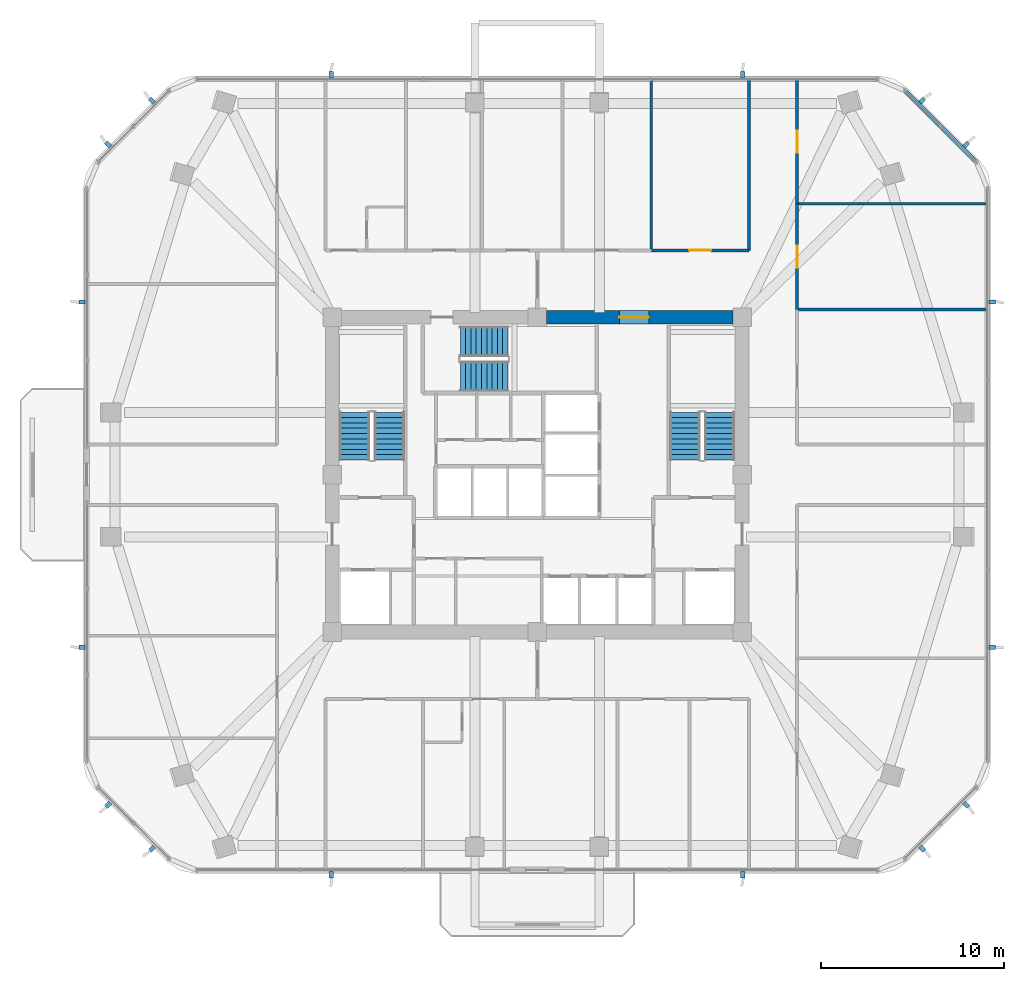
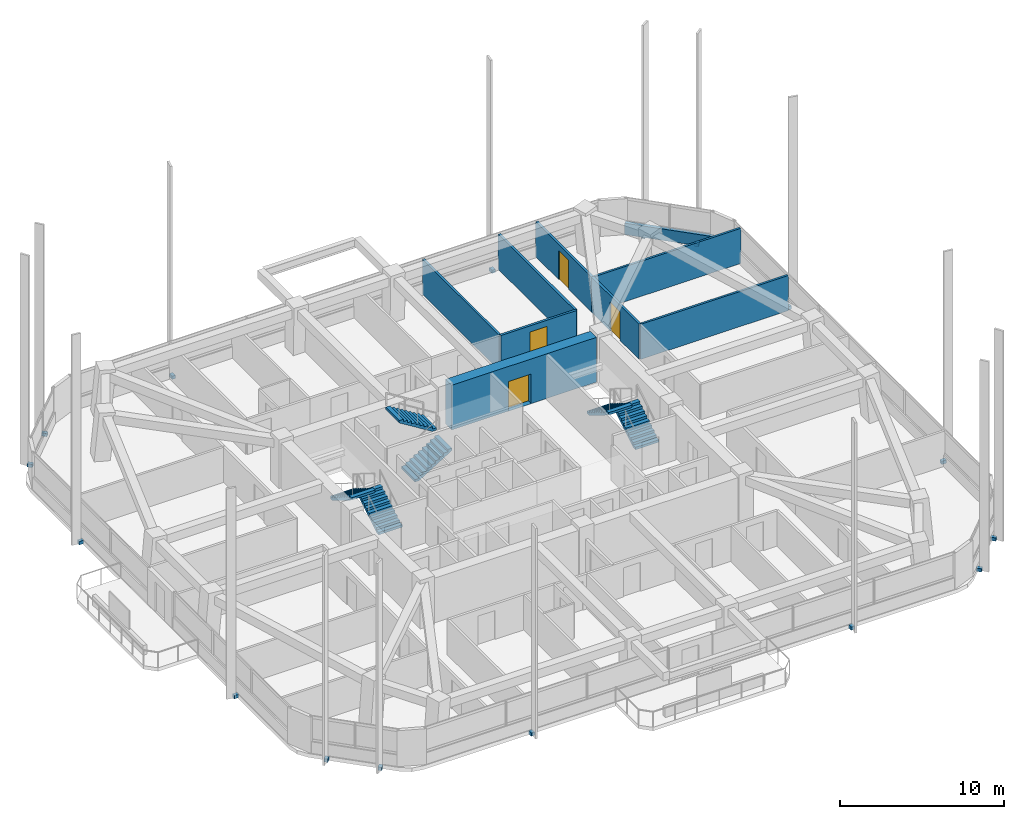
# One storey, part 11 of 15: 16 discrete accessories, 9 walls, 6 stair flights, 4 doors, 4 openings, 3 elements without a shape of their own.
"""IFC4 building model written with IfcOpenShell, lengths in metres."""

from ifc_helpers import new_model, si_unit, derived_unit, direction, frame, frame_2d, origin, origin_2d, place, context, subcontext, project, spatial, polyline, rectangle, outline, extrude, material, layer, layer_set, type_object, element, fill, aggregate, save


model = new_model("IFC4")

# Units and contexts
model_context = context("Model", 3, precision=1e-05, world=origin(), true_north=direction((0.0, 1.0)))
body_context = subcontext(model_context, "Body", "Model", "MODEL_VIEW")
ifc_project = project(units=[si_unit("LENGTHUNIT", "METRE"), si_unit("AREAUNIT", "SQUARE_METRE"), si_unit("VOLUMEUNIT", "CUBIC_METRE"), si_unit("PLANEANGLEUNIT", "RADIAN"), si_unit("MASSUNIT", "GRAM", prefix="KILO"), derived_unit("THERMALTRANSMITTANCEUNIT", [(si_unit("POWERUNIT", "WATT"), 1), (si_unit("LENGTHUNIT", "METRE"), -2), (si_unit("THERMODYNAMICTEMPERATUREUNIT", "KELVIN"), -1)])], contexts=[model_context])

# Site, building, storey
site_placement = place(None, origin())
site = spatial("IfcSite", under=ifc_project, at=site_placement, CompositionType="ELEMENT")
building_placement = place(site_placement, origin())
building = spatial("IfcBuilding", under=site, at=building_placement, Name="Koralith Skygarden Medical Center", CompositionType="ELEMENT")
storey_placement = place(building_placement, frame((0.0, 0.0, 113.580078125)))
storey = spatial("IfcBuildingStorey", under=building, at=storey_placement, Name="L29", CompositionType="ELEMENT", Elevation=113.580078125)

# Walls
ifc_material_1 = material(Name="Gypsum Board Partition")
ifc_layer_1 = layer(ifc_material_1, 0.14990234375)
ifc_layer_set_1 = layer_set([ifc_layer_1], Name="Gypsum Board Partition")
wall_type_1 = type_object("IfcWallType", Name="Clinical Acoustic Partition 150", PredefinedType="PARTITIONING", material=ifc_layer_set_1)
wall_1_placement = place(storey_placement, frame((43.241943359375, 38.159912109375, 0.0), z_axis=(0.0, 0.0, 1.0), x_axis=(0.0, 1.0, 0.0)))
element("IfcWall", 1, at=wall_1_placement, inside=storey, type_object=wall_type_1, Name="L29 Clinical Acoustic Partition 150 W-PART-L29-N-04", PredefinedType="PARTITIONING", context=body_context, shape_type="SweptSolid", body=[
    extrude(rectangle(XDim=9.320068359375, YDim=0.14990234375, at=frame_2d((4.66015625, 0.0))), origin(), (0.0, 0.0, 1.0), 2.60986328125),
])
for number, where, z_axis, x_axis, name in (
    (2, (51.2099609375, 34.922119140625, 0.0), (0.0, 0.0, 1.0), (1.0, 0.0, 0.0), "L29 Clinical Acoustic Partition 150 W-PART-L29-EN-01"),
    (3, (51.2099609375, 40.70703125, 0.0), (0.0, 0.0, 1.0), (1.0, 0.0, 0.0), "L29 Clinical Acoustic Partition 150 W-PART-L29-EN-02"),
):
    element("IfcWall", number, at=place(storey_placement, frame(where, z_axis=z_axis, x_axis=x_axis)), inside=storey, type_object=wall_type_1, Name=name, PredefinedType="PARTITIONING", context=body_context, shape_type="SweptSolid", body=[
        extrude(rectangle(XDim=10.3740234375, YDim=0.14990234375, at=frame_2d((5.18701171875, 0.0))), origin(), (0.0, 0.0, 1.0), 2.60986328125),
    ])
ifc_layer_2 = layer(ifc_material_1, 0.1650390625)
ifc_layer_set_2 = layer_set([ifc_layer_2], Name="Gypsum Board Partition")
wall_type_2 = type_object("IfcWallType", Name="Clinical Corridor Partition 165", PredefinedType="PARTITIONING", material=ifc_layer_set_2)
wall_2_placement = place(storey_placement, frame((48.570068359375, 38.159912109375, 0.0), z_axis=(0.0, 0.0, 1.0), x_axis=(0.0, 1.0, 0.0)))
element("IfcWall", 4, at=wall_2_placement, inside=storey, type_object=wall_type_2, Name="L29 Clinical Corridor Partition 165 W-HCOR-L29-NE", PredefinedType="PARTITIONING", context=body_context, shape_type="SweptSolid", body=[
    extrude(rectangle(XDim=9.320068359375, YDim=0.1650390625, at=frame_2d((4.66015625, 0.0))), origin(), (0.0, 0.0, 1.0), 2.60986328125),
])

# Wall, opening, door
wall_3_placement = place(storey_placement, frame((43.241943359375, 38.159912109375, 0.0), z_axis=(0.0, 0.0, 1.0), x_axis=(1.0, 0.0, 0.0)))
wall_3 = element("IfcWall", 5, at=wall_3_placement, inside=storey, type_object=wall_type_2, Name="L29 Clinical Corridor Partition 165 W-CORR-L29-N-05", PredefinedType="PARTITIONING", context=body_context, shape_type="SweptSolid", body=[
    extrude(rectangle(XDim=5.328125, YDim=0.1650390625, at=frame_2d((2.6640625, 0.0))), origin(), (0.0, 0.0, 1.0), 2.60986328125),
])
opening_1_placement = place(wall_3_placement, frame((2.06396484375, 0.0, 0.0)))
opening_1 = element("IfcOpeningElement", 6, at=opening_1_placement, cuts=wall_3, Name="Opening D-CLN", PredefinedType="OPENING", context=body_context, shape_type="SweptSolid", body=[
    extrude(rectangle(XDim=1.199951171875, YDim=2.14990234375, at=frame_2d((0.60009765625, 1.074951171875))), frame((0.0, 0.092529296875, 0.0), z_axis=(0.0, -1.0, 0.0), x_axis=(1.0, 0.0, 0.0)), (0.0, 0.0, 1.0), 0.18505859375),
])
ifc_material_2 = material(Name="Aluminium 6063-T6", Category="aluminium")
door_type_1 = type_object("IfcDoorType", Name="Clinical Corridor Door D-CLN 1200", OperationType="NOTDEFINED", PredefinedType="DOOR", material=ifc_material_2)
door_1_placement = place(opening_1_placement, origin())
door_1 = element("IfcDoor", 7, at=door_1_placement, inside=storey, type_object=door_type_1, Name="L29 Clinical Consultation Office 05 Door", OperationType="SINGLE_SWING_RIGHT", OverallHeight=2.14990234375, OverallWidth=1.199951171875, PredefinedType="DOOR", context=body_context, shape_type="SweptSolid", body=[
    extrude(rectangle(XDim=1.199951171875, YDim=2.14990234375, at=frame_2d((0.60009765625, 1.074951171875))), frame((0.0, 0.02490234375, 0.0), z_axis=(0.0, -1.0, 0.0), x_axis=(1.0, 0.0, 0.0)), (0.0, 0.0, 1.0), 0.050048828125),
])
fill(opening_1, door_1)

wall_4_placement = place(storey_placement, frame((51.2099609375, 34.922119140625, 0.0), z_axis=(0.0, 0.0, 1.0), x_axis=(0.0, 1.0, 0.0)))
wall_4 = element("IfcWall", 8, at=wall_4_placement, inside=storey, type_object=wall_type_2, Name="L29 Clinical Corridor Partition 165 W-CORR-L29-EN-02", PredefinedType="PARTITIONING", context=body_context, shape_type="SweptSolid", body=[
    extrude(rectangle(XDim=5.784912109375, YDim=0.1650390625, at=frame_2d((2.892578125, 0.0))), origin(), (0.0, 0.0, 1.0), 2.60986328125),
])
opening_2_placement = place(wall_4_placement, frame((2.29296875, 0.0, 0.0)))
opening_2 = element("IfcOpeningElement", 9, at=opening_2_placement, cuts=wall_4, Name="Opening D-CLN", PredefinedType="OPENING", context=body_context, shape_type="SweptSolid", body=[
    extrude(rectangle(XDim=1.199951171875, YDim=2.14990234375, at=frame_2d((0.60009765625, 1.074951171875))), frame((0.0, 0.092529296875, 0.0), z_axis=(0.0, -1.0, 0.0), x_axis=(1.0, 0.0, 0.0)), (0.0, 0.0, 1.0), 0.18505859375),
])
door_2_placement = place(opening_2_placement, origin())
door_2 = element("IfcDoor", 10, at=door_2_placement, inside=storey, type_object=door_type_1, Name="L29 Clinical Consultation Office 19 Door", OperationType="SINGLE_SWING_RIGHT", OverallHeight=2.14990234375, OverallWidth=1.199951171875, PredefinedType="DOOR", context=body_context, shape_type="SweptSolid", body=[
    extrude(rectangle(XDim=1.199951171875, YDim=2.14990234375, at=frame_2d((0.60009765625, 1.074951171875))), frame((0.0, 0.02490234375, 0.0), z_axis=(0.0, -1.0, 0.0), x_axis=(1.0, 0.0, 0.0)), (0.0, 0.0, 1.0), 0.050048828125),
])
fill(opening_2, door_2)

wall_5_placement = place(storey_placement, frame((51.2099609375, 40.70703125, 0.0), z_axis=(0.0, 0.0, 1.0), x_axis=(0.0, 1.0, 0.0)))
wall_5 = element("IfcWall", 11, at=wall_5_placement, inside=storey, type_object=wall_type_2, Name="L29 Clinical Corridor Partition 165 W-CORR-L29-EN-03", PredefinedType="PARTITIONING", context=body_context, shape_type="SweptSolid", body=[
    extrude(rectangle(XDim=6.77294921875, YDim=0.1650390625, at=frame_2d((3.386474609375, 0.0))), origin(), (0.0, 0.0, 1.0), 2.60986328125),
])
opening_3_placement = place(wall_5_placement, frame((2.785888671875, 0.0, 0.0)))
opening_3 = element("IfcOpeningElement", 12, at=opening_3_placement, cuts=wall_5, Name="Opening D-CLN", PredefinedType="OPENING", context=body_context, shape_type="SweptSolid", body=[
    extrude(rectangle(XDim=1.199951171875, YDim=2.14990234375, at=frame_2d((0.60009765625, 1.074951171875))), frame((0.0, 0.092529296875, 0.0), z_axis=(0.0, -1.0, 0.0), x_axis=(1.0, 0.0, 0.0)), (0.0, 0.0, 1.0), 0.18505859375),
])
door_3_placement = place(opening_3_placement, origin())
door_3 = element("IfcDoor", 13, at=door_3_placement, inside=storey, type_object=door_type_1, Name="L29 Cardiopulmonary Rehab Gym Hall 20 Door", OperationType="SINGLE_SWING_LEFT", OverallHeight=2.14990234375, OverallWidth=1.199951171875, PredefinedType="DOOR", context=body_context, shape_type="SweptSolid", body=[
    extrude(rectangle(XDim=1.199951171875, YDim=2.14990234375, at=frame_2d((0.60009765625, 1.074951171875))), frame((0.0, 0.02490234375, 0.0), z_axis=(0.0, -1.0, 0.0), x_axis=(1.0, 0.0, 0.0)), (0.0, 0.0, 1.0), 0.050048828125),
])
fill(opening_3, door_3)

# Wall
ifc_material_3 = material(Name="Warm Oolitic Limestone Cladding", Category="masonry")
ifc_layer_3 = layer(ifc_material_3, 0.239990234375)
ifc_layer_set_3 = layer_set([ifc_layer_3], Name="Warm Oolitic Limestone Cladding")
wall_type_3 = type_object("IfcWallType", Name="Limestone Spandrel Sill Backup Wall 240", PredefinedType="SOLIDWALL", material=ifc_layer_set_3)
wall_6_placement = place(storey_placement, frame((61.0029296875, 42.97607421875, 0.0), z_axis=(0.0, 0.0, 1.0), x_axis=(-0.707106781187, 0.707106781187, 0.0)))
element("IfcWall", 14, at=wall_6_placement, inside=storey, type_object=wall_type_3, Name="L29 Sill Spandrel NE", PredefinedType="SOLIDWALL", context=body_context, shape_type="SweptSolid", body=[
    extrude(rectangle(XDim=5.5478515625, YDim=0.239990234375, at=frame_2d((2.77392578125, 0.0))), origin(), (0.0, 0.0, 1.0), 0.849853515625),
])

# Wall, opening, door
ifc_material_4 = material(Name="Concrete C70/85", Category="concrete")
ifc_layer_4 = layer(ifc_material_4, 0.75)
ifc_layer_set_4 = layer_set([ifc_layer_4], Name="Concrete C70/85")
wall_type_4 = type_object("IfcWallType", Name="Mid Core Shear Wall 750", PredefinedType="SHEAR", material=ifc_layer_set_4)
wall_7_placement = place(storey_placement, frame((47.695068359375, 34.5, 0.0), z_axis=(0.0, 0.0, 1.0), x_axis=(-1.0, 0.0, 0.0)))
wall_7 = element("IfcWall", 15, at=wall_7_placement, inside=storey, type_object=wall_type_4, Name="L29 Core Shear Wall Segment 5", PredefinedType="SHEAR", context=body_context, shape_type="SweptSolid", body=[
    extrude(rectangle(XDim=10.190185546875, YDim=0.75, at=frame_2d((5.09521484375, 0.0))), origin(), (0.0, 0.0, 1.0), 3.31982421875),
])
opening_4_placement = place(wall_7_placement, frame((4.594970703125, 0.0, 0.0)))
opening_4 = element("IfcOpeningElement", 16, at=opening_4_placement, cuts=wall_7, Name="Opening D-DBL", PredefinedType="OPENING", context=body_context, shape_type="SweptSolid", body=[
    extrude(rectangle(XDim=1.60009765625, YDim=2.199951171875, at=frame_2d((0.800048828125, 1.10009765625))), frame((0.0, 0.385009765625, 0.0), z_axis=(0.0, -1.0, 0.0), x_axis=(1.0, 0.0, 0.0)), (0.0, 0.0, 1.0), 0.77001953125),
])
door_type_2 = type_object("IfcDoorType", Name="Double Clinical Suite Door D-DBL 1600", OperationType="NOTDEFINED", PredefinedType="DOOR", material=ifc_material_2)
door_4_placement = place(opening_4_placement, frame((1.60009765625, 0.0, 0.0), z_axis=(0.0, 0.0, 1.0), x_axis=(-1.0, 0.0, 0.0)))
door_4 = element("IfcDoor", 17, at=door_4_placement, inside=storey, type_object=door_type_2, Name="L29 North-East Corridor to Elevator Lobby Door", OperationType="DOUBLE_DOOR_SINGLE_SWING", OverallHeight=2.199951171875, OverallWidth=1.60009765625, PredefinedType="DOOR", context=body_context, shape_type="SweptSolid", body=[
    extrude(rectangle(XDim=1.60009765625, YDim=2.199951171875, at=frame_2d((0.800048828125, 1.10009765625))), frame((0.0, 0.02490234375, 0.0), z_axis=(0.0, -1.0, 0.0), x_axis=(1.0, 0.0, 0.0)), (0.0, 0.0, 1.0), 0.050048828125),
])
fill(opening_4, door_4)

# Stair, stair flights
ifc_material_5 = material(Name="Concrete C45/55", Category="concrete")
stair_type = type_object("IfcStairType", Name="Core Exit Dogleg Concrete Stair", PredefinedType="HALF_TURN_STAIR", material=ifc_material_5)
stair_1_placement = place(storey_placement, origin())
stair_1 = element("IfcStair", 18, at=stair_1_placement, inside=storey, type_object=stair_type, Name="L29 Smokeproof Exit Stair ST1", PredefinedType="HALF_TURN_STAIR")
stair_flight_type = type_object("IfcStairFlightType", Name="Core Exit Concrete Stair Flight 1650", PredefinedType="STRAIGHT", material=ifc_material_5)
stair_flight_1_placement = place(storey_placement, frame((28.925048828125, 26.699951171875, 0.0), z_axis=(0.0, 0.0, 1.0), x_axis=(0.0, 1.0, 0.0)))
stair_flight_1 = element("IfcStairFlight", 19, at=stair_flight_1_placement, type_object=stair_flight_type, Name="ST1 flight 1", NumberOfRisers=10, NumberOfTreads=9, PredefinedType="STRAIGHT", RiserHeight=0.18, TreadLength=0.29, context=body_context, shape_type="SweptSolid", body=[
    extrude(outline(polyline([(0.0, 0.0), (0.0, 0.179931640625), (0.2900390625, 0.179931640625), (0.2900390625, 0.360107421875), (0.580078125, 0.360107421875), (0.580078125, 0.5400390625), (0.8701171875, 0.5400390625), (0.8701171875, 0.719970703125), (1.159912109375, 0.719970703125), (1.159912109375, 0.89990234375), (1.449951171875, 0.89990234375), (1.449951171875, 1.080078125), (1.739990234375, 1.080078125), (1.739990234375, 1.260009765625), (2.030029296875, 1.260009765625), (2.030029296875, 1.43994140625), (2.320068359375, 1.43994140625), (2.320068359375, 1.6201171875), (2.610107421875, 1.6201171875), (2.610107421875, 1.800048828125), (2.610107421875, 1.443603515625), (0.2841796875, 0.0), (0.0, 0.0)])), frame((0.0, 0.824951171875, 0.0), z_axis=(0.0, -1.0, 0.0), x_axis=(1.0, 0.0, 0.0)), (0.0, 0.0, 1.0), 1.64990234375),
])
stair_flight_2_placement = place(storey_placement, frame((27.02490234375, 29.31005859375, 1.7998046875), z_axis=(0.0, 0.0, 1.0), x_axis=(0.0, -1.0, 0.0)))
stair_flight_2 = element("IfcStairFlight", 20, at=stair_flight_2_placement, type_object=stair_flight_type, Name="ST1 flight 2", NumberOfRisers=10, NumberOfTreads=9, PredefinedType="STRAIGHT", RiserHeight=0.18, TreadLength=0.29, context=body_context, shape_type="SweptSolid", body=[
    extrude(outline(polyline([(0.0, 0.0), (0.0, 0.179931640625), (0.2900390625, 0.179931640625), (0.2900390625, 0.360107421875), (0.580078125, 0.360107421875), (0.580078125, 0.5400390625), (0.8701171875, 0.5400390625), (0.8701171875, 0.719970703125), (1.159912109375, 0.719970703125), (1.159912109375, 0.89990234375), (1.449951171875, 0.89990234375), (1.449951171875, 1.080078125), (1.739990234375, 1.080078125), (1.739990234375, 1.260009765625), (2.030029296875, 1.260009765625), (2.030029296875, 1.43994140625), (2.320068359375, 1.43994140625), (2.320068359375, 1.6201171875), (2.610107421875, 1.6201171875), (2.610107421875, 1.800048828125), (2.610107421875, 1.443603515625), (0.2841796875, 0.0), (0.0, 0.0)])), frame((0.0, 0.824951171875, 0.0), z_axis=(0.0, -1.0, 0.0), x_axis=(1.0, 0.0, 0.0)), (0.0, 0.0, 1.0), 1.64990234375),
])
aggregate(stair_1, [stair_flight_1, stair_flight_2])

stair_2_placement = place(storey_placement, origin())
stair_2 = element("IfcStair", 21, at=stair_2_placement, inside=storey, type_object=stair_type, Name="L29 Smokeproof Exit Stair ST2", PredefinedType="HALF_TURN_STAIR")
stair_flight_3_placement = place(storey_placement, frame((46.97509765625, 26.699951171875, 0.0), z_axis=(0.0, 0.0, 1.0), x_axis=(0.0, 1.0, 0.0)))
stair_flight_3 = element("IfcStairFlight", 22, at=stair_flight_3_placement, type_object=stair_flight_type, Name="ST2 flight 1", NumberOfRisers=10, NumberOfTreads=9, PredefinedType="STRAIGHT", RiserHeight=0.18, TreadLength=0.29, context=body_context, shape_type="SweptSolid", body=[
    extrude(outline(polyline([(0.0, 0.0), (0.0, 0.179931640625), (0.2900390625, 0.179931640625), (0.2900390625, 0.360107421875), (0.580078125, 0.360107421875), (0.580078125, 0.5400390625), (0.8701171875, 0.5400390625), (0.8701171875, 0.719970703125), (1.159912109375, 0.719970703125), (1.159912109375, 0.89990234375), (1.449951171875, 0.89990234375), (1.449951171875, 1.080078125), (1.739990234375, 1.080078125), (1.739990234375, 1.260009765625), (2.030029296875, 1.260009765625), (2.030029296875, 1.43994140625), (2.320068359375, 1.43994140625), (2.320068359375, 1.6201171875), (2.610107421875, 1.6201171875), (2.610107421875, 1.800048828125), (2.610107421875, 1.443603515625), (0.2841796875, 0.0), (0.0, 0.0)])), frame((0.0, 0.824951171875, 0.0), z_axis=(0.0, -1.0, 0.0), x_axis=(1.0, 0.0, 0.0)), (0.0, 0.0, 1.0), 1.64990234375),
])
stair_flight_4_placement = place(storey_placement, frame((45.074951171875, 29.31005859375, 1.7998046875), z_axis=(0.0, 0.0, 1.0), x_axis=(0.0, -1.0, 0.0)))
stair_flight_4 = element("IfcStairFlight", 23, at=stair_flight_4_placement, type_object=stair_flight_type, Name="ST2 flight 2", NumberOfRisers=10, NumberOfTreads=9, PredefinedType="STRAIGHT", RiserHeight=0.18, TreadLength=0.29, context=body_context, shape_type="SweptSolid", body=[
    extrude(outline(polyline([(0.0, 0.0), (0.0, 0.179931640625), (0.2900390625, 0.179931640625), (0.2900390625, 0.360107421875), (0.580078125, 0.360107421875), (0.580078125, 0.5400390625), (0.8701171875, 0.5400390625), (0.8701171875, 0.719970703125), (1.159912109375, 0.719970703125), (1.159912109375, 0.89990234375), (1.449951171875, 0.89990234375), (1.449951171875, 1.080078125), (1.739990234375, 1.080078125), (1.739990234375, 1.260009765625), (2.030029296875, 1.260009765625), (2.030029296875, 1.43994140625), (2.320068359375, 1.43994140625), (2.320068359375, 1.6201171875), (2.610107421875, 1.6201171875), (2.610107421875, 1.800048828125), (2.610107421875, 1.443603515625), (0.2841796875, 0.0), (0.0, 0.0)])), frame((0.0, 0.824951171875, 0.0), z_axis=(0.0, -1.0, 0.0), x_axis=(1.0, 0.0, 0.0)), (0.0, 0.0, 1.0), 1.64990234375),
])
aggregate(stair_2, [stair_flight_3, stair_flight_4])

stair_3_placement = place(storey_placement, origin())
stair_3 = element("IfcStair", 24, at=stair_3_placement, inside=storey, type_object=stair_type, Name="L29 Smokeproof Exit Stair ST3", PredefinedType="HALF_TURN_STAIR")
stair_flight_5_placement = place(storey_placement, frame((32.800048828125, 31.27490234375, 0.0), z_axis=(0.0, 0.0, 1.0), x_axis=(1.0, 0.0, 0.0)))
stair_flight_5 = element("IfcStairFlight", 25, at=stair_flight_5_placement, type_object=stair_flight_type, Name="ST3 flight 1", NumberOfRisers=10, NumberOfTreads=9, PredefinedType="STRAIGHT", RiserHeight=0.18, TreadLength=0.29, context=body_context, shape_type="SweptSolid", body=[
    extrude(outline(polyline([(0.0, 0.0), (0.0, 0.179931640625), (0.2900390625, 0.179931640625), (0.2900390625, 0.360107421875), (0.580078125, 0.360107421875), (0.580078125, 0.5400390625), (0.8701171875, 0.5400390625), (0.8701171875, 0.719970703125), (1.159912109375, 0.719970703125), (1.159912109375, 0.89990234375), (1.449951171875, 0.89990234375), (1.449951171875, 1.080078125), (1.739990234375, 1.080078125), (1.739990234375, 1.260009765625), (2.030029296875, 1.260009765625), (2.030029296875, 1.43994140625), (2.320068359375, 1.43994140625), (2.320068359375, 1.6201171875), (2.610107421875, 1.6201171875), (2.610107421875, 1.800048828125), (2.610107421875, 1.443603515625), (0.2841796875, 0.0), (0.0, 0.0)])), frame((0.0, 0.824951171875, 0.0), z_axis=(0.0, -1.0, 0.0), x_axis=(1.0, 0.0, 0.0)), (0.0, 0.0, 1.0), 1.64990234375),
])
stair_flight_6_placement = place(storey_placement, frame((35.409912109375, 33.175048828125, 1.7998046875), z_axis=(0.0, 0.0, 1.0), x_axis=(-1.0, 0.0, 0.0)))
stair_flight_6 = element("IfcStairFlight", 26, at=stair_flight_6_placement, type_object=stair_flight_type, Name="ST3 flight 2", NumberOfRisers=10, NumberOfTreads=9, PredefinedType="STRAIGHT", RiserHeight=0.18, TreadLength=0.29, context=body_context, shape_type="SweptSolid", body=[
    extrude(outline(polyline([(0.0, 0.0), (0.0, 0.179931640625), (0.2900390625, 0.179931640625), (0.2900390625, 0.360107421875), (0.580078125, 0.360107421875), (0.580078125, 0.5400390625), (0.8701171875, 0.5400390625), (0.8701171875, 0.719970703125), (1.159912109375, 0.719970703125), (1.159912109375, 0.89990234375), (1.449951171875, 0.89990234375), (1.449951171875, 1.080078125), (1.739990234375, 1.080078125), (1.739990234375, 1.260009765625), (2.030029296875, 1.260009765625), (2.030029296875, 1.43994140625), (2.320068359375, 1.43994140625), (2.320068359375, 1.6201171875), (2.610107421875, 1.6201171875), (2.610107421875, 1.800048828125), (2.610107421875, 1.443603515625), (0.2841796875, 0.0), (0.0, 0.0)])), frame((0.0, 0.824951171875, 0.0), z_axis=(0.0, -1.0, 0.0), x_axis=(1.0, 0.0, 0.0)), (0.0, 0.0, 1.0), 1.64990234375),
])
aggregate(stair_3, [stair_flight_5, stair_flight_6])

# Discrete accessories
ifc_material_6 = material(Name="Steel ASTM A572 Grade 50", Category="steel")
discrete_accessory_type = type_object("IfcDiscreteAccessoryType", Name="Facade Fin Structural Anchor Bracket", PredefinedType="BRACKET", material=ifc_material_6)
for number, where, z_axis, x_axis, name in (
    (27, (25.760009765625, 4.0390625, -0.26025390625), (0.0, 0.0, 1.0), (0.0, -1.0, 0.0), "L29 S Solar Fin Anchor Bracket 1"),
    (28, (48.239990234375, 4.0390625, -0.26025390625), (0.0, 0.0, 1.0), (0.0, -1.0, 0.0), "L29 S Solar Fin Anchor Bracket 2"),
    (29, (58.0419921875, 5.464111328125, -0.26025390625), (0.0, 0.0, 1.0), (0.707106781187, -0.707106781187, 0.0), "L29 SE Solar Fin Anchor Bracket 1"),
    (30, (60.43994140625, 7.862060546875, -0.26025390625), (0.0, 0.0, 1.0), (0.707106781187, -0.707106781187, 0.0), "L29 SE Solar Fin Anchor Bracket 2"),
    (31, (61.864013671875, 16.4609375, -0.26025390625), (0.0, 0.0, 1.0), (1.0, 0.0, 0.0), "L29 E Solar Fin Anchor Bracket 1"),
    (32, (61.864013671875, 35.337890625, -0.26025390625), (0.0, 0.0, 1.0), (1.0, 0.0, 0.0), "L29 E Solar Fin Anchor Bracket 2"),
    (33, (60.43994140625, 43.93896484375, -0.26025390625), (0.0, 0.0, 1.0), (0.707106781187, 0.707106781187, 0.0), "L29 NE Solar Fin Anchor Bracket 1"),
    (34, (58.0419921875, 46.3369140625, -0.26025390625), (0.0, 0.0, 1.0), (0.707106781187, 0.707106781187, 0.0), "L29 NE Solar Fin Anchor Bracket 2"),
    (35, (48.239990234375, 47.760009765625, -0.26025390625), (0.0, 0.0, 1.0), (0.0, 1.0, 0.0), "L29 N Solar Fin Anchor Bracket 1"),
    (36, (25.760009765625, 47.760009765625, -0.26025390625), (0.0, 0.0, 1.0), (0.0, 1.0, 0.0), "L29 N Solar Fin Anchor Bracket 2"),
    (37, (15.9580078125, 46.3359375, -0.26025390625), (0.0, 0.0, 1.0), (-0.707106781187, 0.707106781187, 0.0), "L29 NW Solar Fin Anchor Bracket 1"),
    (38, (13.56005859375, 43.93798828125, -0.26025390625), (0.0, 0.0, 1.0), (-0.707106781187, 0.707106781187, 0.0), "L29 NW Solar Fin Anchor Bracket 2"),
    (39, (12.135986328125, 35.337890625, -0.26025390625), (0.0, 0.0, 1.0), (-1.0, 0.0, 0.0), "L29 W Solar Fin Anchor Bracket 1"),
    (40, (12.135986328125, 16.4609375, -0.26025390625), (0.0, 0.0, 1.0), (-1.0, 0.0, 0.0), "L29 W Solar Fin Anchor Bracket 2"),
    (41, (13.56005859375, 7.861083984375, -0.26025390625), (0.0, 0.0, 1.0), (-0.707106781187, -0.707106781187, 0.0), "L29 SW Solar Fin Anchor Bracket 1"),
    (42, (15.9580078125, 5.462890625, -0.26025390625), (0.0, 0.0, 1.0), (-0.707106781187, -0.707106781187, 0.0), "L29 SW Solar Fin Anchor Bracket 2"),
):
    element("IfcDiscreteAccessory", number, at=place(storey_placement, frame(where, z_axis=z_axis, x_axis=x_axis)), inside=storey, type_object=discrete_accessory_type, Name=name, PredefinedType="BRACKET", context=body_context, shape_type="SweptSolid", body=[
        extrude(rectangle(XDim=0.340087890625, YDim=0.239990234375, at=origin_2d()), origin(), (0.0, 0.0, 1.0), 0.239990234375),
    ])

save(model, "model.ifc")
